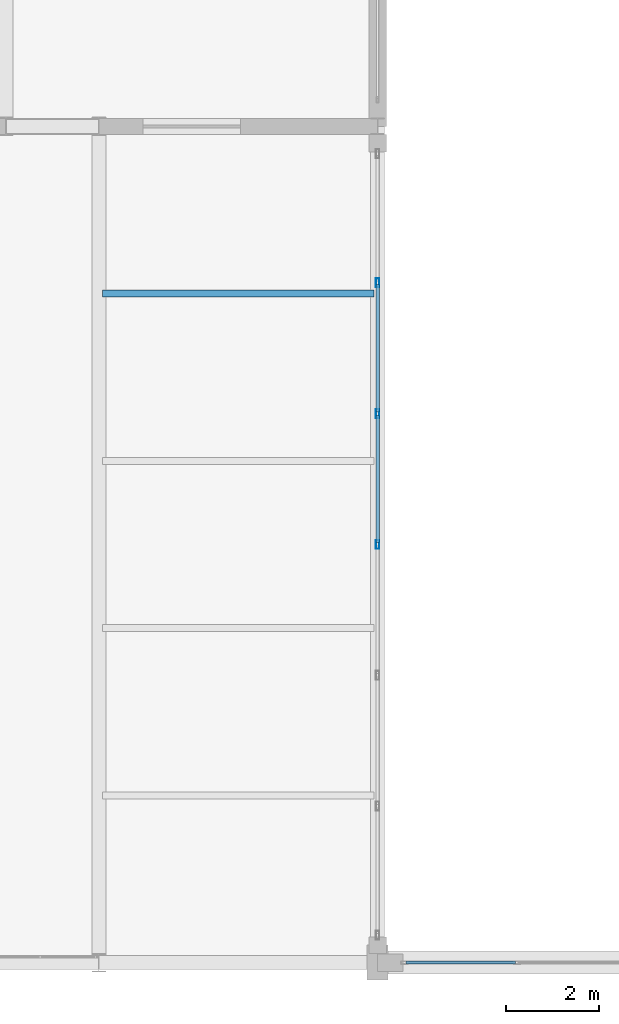
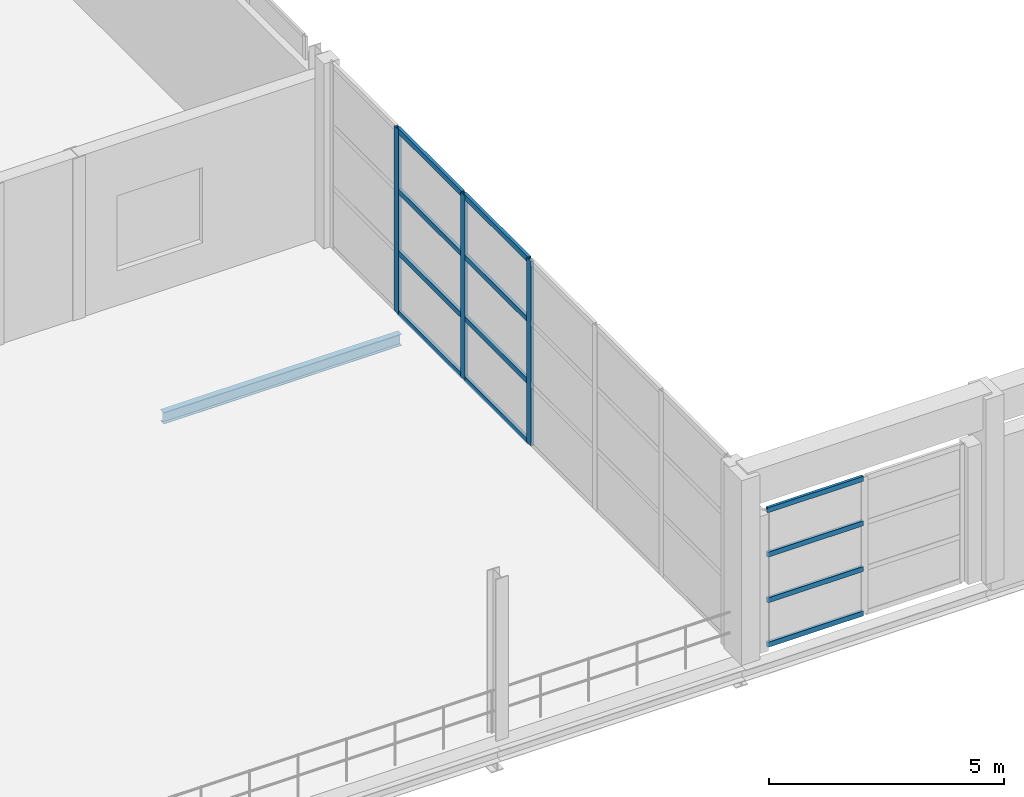
# One storey, part 40 of 147: 15 members, 1 beam, 2 elements without a shape of their own.
"""IFC4 building model written with IfcOpenShell, lengths in metres."""

from ifc_helpers import new_model, si_unit, direction, frame, origin, origin_2d, place, context, subcontext, project, spatial, hollow_rectangle, i_section, extrude, material, layer, layer_set, material_profile, profile_set, type_object, element, aggregate, save


model = new_model("IFC4")

# Units and contexts
model_context = context("Model", 3, precision=1e-05, world=origin(), true_north=direction((0.0, 1.0)))
body_context = subcontext(model_context, "Body", "Model", "MODEL_VIEW")
ifc_project = project(units=[si_unit("LENGTHUNIT", "METRE"), si_unit("AREAUNIT", "SQUARE_METRE"), si_unit("VOLUMEUNIT", "CUBIC_METRE"), si_unit("PLANEANGLEUNIT", "RADIAN"), si_unit("MASSUNIT", "GRAM", prefix="KILO")], contexts=[model_context])

# Site, building, storey
site_placement = place(None, origin())
site = spatial("IfcSite", under=ifc_project, at=site_placement, CompositionType="ELEMENT")
building_placement = place(site_placement, origin())
building = spatial("IfcBuilding", under=site, at=building_placement, Name="Zilviju Railside Exhibition Hall", CompositionType="ELEMENT")
storey_placement = place(building_placement, frame((0.0, 0.0, 8.39990234375)))
storey = spatial("IfcBuildingStorey", under=building, at=storey_placement, Name="L03", CompositionType="ELEMENT", Elevation=8.39990234375)

# Beam
ifc_material_1 = material(Name="Steel S355J2", Category="steel")
ifc_material_profile_1 = material_profile(ifc_material_1, i_section(OverallWidth=0.14990234375, OverallDepth=0.300048828125, WebThickness=0.007080078125, FlangeThickness=0.0107421875, at=origin_2d()), Name="IPE 300")
ifc_profile_set_1 = profile_set([ifc_material_profile_1], Name="Steel S355J2")
beam_type = type_object("IfcBeamType", Name="BM-IPE300", PredefinedType="JOIST", material=ifc_profile_set_1)
beam_placement = place(storey_placement, frame((72.080078125, 14.39990234375, -0.5), z_axis=(1.0, 0.0, 0.0), x_axis=(0.0, 1.0, 0.0)))
element("IfcBeam", 1, at=beam_placement, inside=storey, type_object=beam_type, Name="Composite Floor Joist L03 Y=14.40 (72.0..78.0)", PredefinedType="JOIST", context=body_context, shape_type="SweptSolid", body=[
    extrude(i_section(OverallWidth=0.14990234375, OverallDepth=0.300048828125, WebThickness=0.007080078125, FlangeThickness=0.0107421875, at=origin_2d()), origin(), (0.0, 0.0, 1.0), 5.83984375),
])

# Curtain wall, members
ifc_material_2 = material(Name="Thermally broken aluminium-steel triple-glazed curtain wall", Category="steel")
ifc_layer_1 = layer(ifc_material_2, 0.179931640625)
ifc_layer_set_1 = layer_set([ifc_layer_1], Name="Thermally broken aluminium-steel triple-glazed curtain wall")
curtain_wall_type_1 = type_object("IfcCurtainWallType", Name="CW-BAY-19", PredefinedType="USERDEFINED", material=ifc_layer_set_1)
curtain_wall_1_placement = place(storey_placement, origin())
curtain_wall_1 = element("IfcCurtainWall", 2, at=curtain_wall_1_placement, inside=storey, type_object=curtain_wall_type_1, Name="South Hall West Upper Glazed Gable (0..18)", ObjectType="GLAZED CURTAIN WALL", PredefinedType="USERDEFINED")
ifc_material_3 = material(Name="Thermally broken anodized aluminium mullion", Category="aluminium")
ifc_material_profile_2 = material_profile(ifc_material_3, hollow_rectangle(XDim=0.074951171875, YDim=0.18994140625, WallThickness=0.0048828125, at=origin_2d()), Name="MULLION 190x75x5")
ifc_profile_set_2 = profile_set([ifc_material_profile_2], Name="Thermally broken anodized aluminium mullion")
member_type_1 = type_object("IfcMemberType", Name="CWM-75x190", PredefinedType="MULLION", material=ifc_profile_set_2)
member_1_placement = place(storey_placement, frame((78.0, 9.0, 0.0), z_axis=(0.0, 0.0, 1.0), x_axis=(-1.0, 0.0, 0.0)))
member_1 = element("IfcMember", 3, at=member_1_placement, type_object=member_type_1, Name="CW-19 mullion 4", PredefinedType="MULLION", context=body_context, shape_type="SweptSolid", body=[
    extrude(hollow_rectangle(XDim=0.074951171875, YDim=0.18994140625, WallThickness=0.0048828125, at=origin_2d()), origin(), (0.0, 0.0, 1.0), 4.800048828125),
])
member_2_placement = place(storey_placement, frame((78.0, 11.816650390625, 0.0), z_axis=(0.0, 0.0, 1.0), x_axis=(-1.0, 0.0, 0.0)))
member_2 = element("IfcMember", 4, at=member_2_placement, type_object=member_type_1, Name="CW-19 mullion 5", PredefinedType="MULLION", context=body_context, shape_type="SweptSolid", body=[
    extrude(hollow_rectangle(XDim=0.074951171875, YDim=0.18994140625, WallThickness=0.0048828125, at=origin_2d()), origin(), (0.0, 0.0, 1.0), 4.800048828125),
])
member_3_placement = place(storey_placement, frame((78.0, 14.63330078125, 0.0), z_axis=(0.0, 0.0, 1.0), x_axis=(-1.0, 0.0, 0.0)))
member_3 = element("IfcMember", 5, at=member_3_placement, type_object=member_type_1, Name="CW-19 mullion 6", PredefinedType="MULLION", context=body_context, shape_type="SweptSolid", body=[
    extrude(hollow_rectangle(XDim=0.074951171875, YDim=0.18994140625, WallThickness=0.0048828125, at=origin_2d()), origin(), (0.0, 0.0, 1.0), 4.800048828125),
])

ifc_layer_2 = layer(ifc_material_2, 0.179931640625)
ifc_layer_set_2 = layer_set([ifc_layer_2], Name="Thermally broken aluminium-steel triple-glazed curtain wall")
curtain_wall_type_2 = type_object("IfcCurtainWallType", Name="CW-BAY-12", PredefinedType="USERDEFINED", material=ifc_layer_set_2)
curtain_wall_2_placement = place(storey_placement, origin())
curtain_wall_2 = element("IfcCurtainWall", 6, at=curtain_wall_2_placement, inside=storey, type_object=curtain_wall_type_2, Name="South Hall Facade Curtain Wall L03 (78..84)", ObjectType="GLAZED CURTAIN WALL", PredefinedType="USERDEFINED")
ifc_material_4 = material(Name="Thermally broken anodized aluminium transom", Category="aluminium")
ifc_material_profile_3 = material_profile(ifc_material_4, hollow_rectangle(XDim=0.06494140625, YDim=0.1298828125, WallThickness=0.0048828125, at=origin_2d()), Name="TRANSOM 130x65x5")
ifc_profile_set_3 = profile_set([ifc_material_profile_3], Name="Thermally broken anodized aluminium transom")
member_type_2 = type_object("IfcMemberType", Name="CWT-65x130", PredefinedType="USERDEFINED", material=ifc_profile_set_3)
member_4_placement = place(storey_placement, frame((80.967529296875, 0.0, 0.03271484375), z_axis=(-1.0, 0.0, 0.0), x_axis=(0.0, -1.0, 0.0)))
member_4 = element("IfcMember", 7, at=member_4_placement, type_object=member_type_2, Name="CW-12 transom 2.1", ObjectType="TRANSOM", PredefinedType="USERDEFINED", context=body_context, shape_type="SweptSolid", body=[
    extrude(hollow_rectangle(XDim=0.06494140625, YDim=0.1298828125, WallThickness=0.0048828125, at=origin_2d()), origin(), (0.0, 0.0, 1.0), 2.3525390625),
])
member_5_placement = place(storey_placement, frame((80.967529296875, 0.0, 1.18701171875), z_axis=(-1.0, 0.0, 0.0), x_axis=(0.0, -1.0, 0.0)))
member_5 = element("IfcMember", 8, at=member_5_placement, type_object=member_type_2, Name="CW-12 transom 2.2", ObjectType="TRANSOM", PredefinedType="USERDEFINED", context=body_context, shape_type="SweptSolid", body=[
    extrude(hollow_rectangle(XDim=0.06494140625, YDim=0.1298828125, WallThickness=0.0048828125, at=origin_2d()), origin(), (0.0, 0.0, 1.0), 2.3525390625),
])
member_6_placement = place(storey_placement, frame((80.967529296875, 0.0, 2.373046875), z_axis=(-1.0, 0.0, 0.0), x_axis=(0.0, -1.0, 0.0)))
member_6 = element("IfcMember", 9, at=member_6_placement, type_object=member_type_2, Name="CW-12 transom 2.3", ObjectType="TRANSOM", PredefinedType="USERDEFINED", context=body_context, shape_type="SweptSolid", body=[
    extrude(hollow_rectangle(XDim=0.06494140625, YDim=0.1298828125, WallThickness=0.0048828125, at=origin_2d()), origin(), (0.0, 0.0, 1.0), 2.3525390625),
])
member_7_placement = place(storey_placement, frame((80.967529296875, 0.0, 3.527587890625), z_axis=(-1.0, 0.0, 0.0), x_axis=(0.0, -1.0, 0.0)))
member_7 = element("IfcMember", 10, at=member_7_placement, type_object=member_type_2, Name="CW-12 transom 2.4", ObjectType="TRANSOM", PredefinedType="USERDEFINED", context=body_context, shape_type="SweptSolid", body=[
    extrude(hollow_rectangle(XDim=0.06494140625, YDim=0.1298828125, WallThickness=0.0048828125, at=origin_2d()), origin(), (0.0, 0.0, 1.0), 2.3525390625),
])
aggregate(curtain_wall_2, [member_4, member_5, member_6, member_7])

# Member
ifc_material_profile_4 = material_profile(ifc_material_4, hollow_rectangle(XDim=0.074951171875, YDim=0.139892578125, WallThickness=0.0048828125, at=origin_2d()), Name="TRANSOM 140x75x5")
ifc_profile_set_4 = profile_set([ifc_material_profile_4], Name="Thermally broken anodized aluminium transom")
member_type_3 = type_object("IfcMemberType", Name="CWT-75x140", PredefinedType="USERDEFINED", material=ifc_profile_set_4)
member_8_placement = place(storey_placement, frame((78.0, 9.03759765625, 0.03759765625), z_axis=(0.0, 1.0, 0.0), x_axis=(-1.0, 0.0, 0.0)))
member_8 = element("IfcMember", 11, at=member_8_placement, type_object=member_type_3, Name="CW-19 transom 4.1", ObjectType="TRANSOM", PredefinedType="USERDEFINED", context=body_context, shape_type="SweptSolid", body=[
    extrude(hollow_rectangle(XDim=0.074951171875, YDim=0.139892578125, WallThickness=0.0048828125, at=origin_2d()), origin(), (0.0, 0.0, 1.0), 2.741455078125),
])

member_9_placement = place(storey_placement, frame((78.0, 9.03759765625, 1.60009765625), z_axis=(0.0, 1.0, 0.0), x_axis=(-1.0, 0.0, 0.0)))
member_9 = element("IfcMember", 12, at=member_9_placement, type_object=member_type_3, Name="CW-19 transom 4.2", ObjectType="TRANSOM", PredefinedType="USERDEFINED", context=body_context, shape_type="SweptSolid", body=[
    extrude(hollow_rectangle(XDim=0.074951171875, YDim=0.139892578125, WallThickness=0.0048828125, at=origin_2d()), origin(), (0.0, 0.0, 1.0), 2.741455078125),
])

member_10_placement = place(storey_placement, frame((78.0, 9.03759765625, 3.2001953125), z_axis=(0.0, 1.0, 0.0), x_axis=(-1.0, 0.0, 0.0)))
member_10 = element("IfcMember", 13, at=member_10_placement, type_object=member_type_3, Name="CW-19 transom 4.3", ObjectType="TRANSOM", PredefinedType="USERDEFINED", context=body_context, shape_type="SweptSolid", body=[
    extrude(hollow_rectangle(XDim=0.074951171875, YDim=0.139892578125, WallThickness=0.0048828125, at=origin_2d()), origin(), (0.0, 0.0, 1.0), 2.741455078125),
])

member_11_placement = place(storey_placement, frame((78.0, 9.03759765625, 4.7626953125), z_axis=(0.0, 1.0, 0.0), x_axis=(-1.0, 0.0, 0.0)))
member_11 = element("IfcMember", 14, at=member_11_placement, type_object=member_type_3, Name="CW-19 transom 4.4", ObjectType="TRANSOM", PredefinedType="USERDEFINED", context=body_context, shape_type="SweptSolid", body=[
    extrude(hollow_rectangle(XDim=0.074951171875, YDim=0.139892578125, WallThickness=0.0048828125, at=origin_2d()), origin(), (0.0, 0.0, 1.0), 2.741455078125),
])

member_12_placement = place(storey_placement, frame((78.0, 11.854248046875, 0.03759765625), z_axis=(0.0, 1.0, 0.0), x_axis=(-1.0, 0.0, 0.0)))
member_12 = element("IfcMember", 15, at=member_12_placement, type_object=member_type_3, Name="CW-19 transom 5.1", ObjectType="TRANSOM", PredefinedType="USERDEFINED", context=body_context, shape_type="SweptSolid", body=[
    extrude(hollow_rectangle(XDim=0.074951171875, YDim=0.139892578125, WallThickness=0.0048828125, at=origin_2d()), origin(), (0.0, 0.0, 1.0), 2.74169921875),
])

member_13_placement = place(storey_placement, frame((78.0, 11.854248046875, 1.60009765625), z_axis=(0.0, 1.0, 0.0), x_axis=(-1.0, 0.0, 0.0)))
member_13 = element("IfcMember", 16, at=member_13_placement, type_object=member_type_3, Name="CW-19 transom 5.2", ObjectType="TRANSOM", PredefinedType="USERDEFINED", context=body_context, shape_type="SweptSolid", body=[
    extrude(hollow_rectangle(XDim=0.074951171875, YDim=0.139892578125, WallThickness=0.0048828125, at=origin_2d()), origin(), (0.0, 0.0, 1.0), 2.74169921875),
])

member_14_placement = place(storey_placement, frame((78.0, 11.854248046875, 3.2001953125), z_axis=(0.0, 1.0, 0.0), x_axis=(-1.0, 0.0, 0.0)))
member_14 = element("IfcMember", 17, at=member_14_placement, type_object=member_type_3, Name="CW-19 transom 5.3", ObjectType="TRANSOM", PredefinedType="USERDEFINED", context=body_context, shape_type="SweptSolid", body=[
    extrude(hollow_rectangle(XDim=0.074951171875, YDim=0.139892578125, WallThickness=0.0048828125, at=origin_2d()), origin(), (0.0, 0.0, 1.0), 2.74169921875),
])

member_15_placement = place(storey_placement, frame((78.0, 11.854248046875, 4.7626953125), z_axis=(0.0, 1.0, 0.0), x_axis=(-1.0, 0.0, 0.0)))
member_15 = element("IfcMember", 18, at=member_15_placement, type_object=member_type_3, Name="CW-19 transom 5.4", ObjectType="TRANSOM", PredefinedType="USERDEFINED", context=body_context, shape_type="SweptSolid", body=[
    extrude(hollow_rectangle(XDim=0.074951171875, YDim=0.139892578125, WallThickness=0.0048828125, at=origin_2d()), origin(), (0.0, 0.0, 1.0), 2.74169921875),
])

aggregate(curtain_wall_1, [member_1, member_2, member_3, member_8, member_9, member_10, member_11, member_12, member_13, member_14, member_15])

save(model, "model.ifc")
